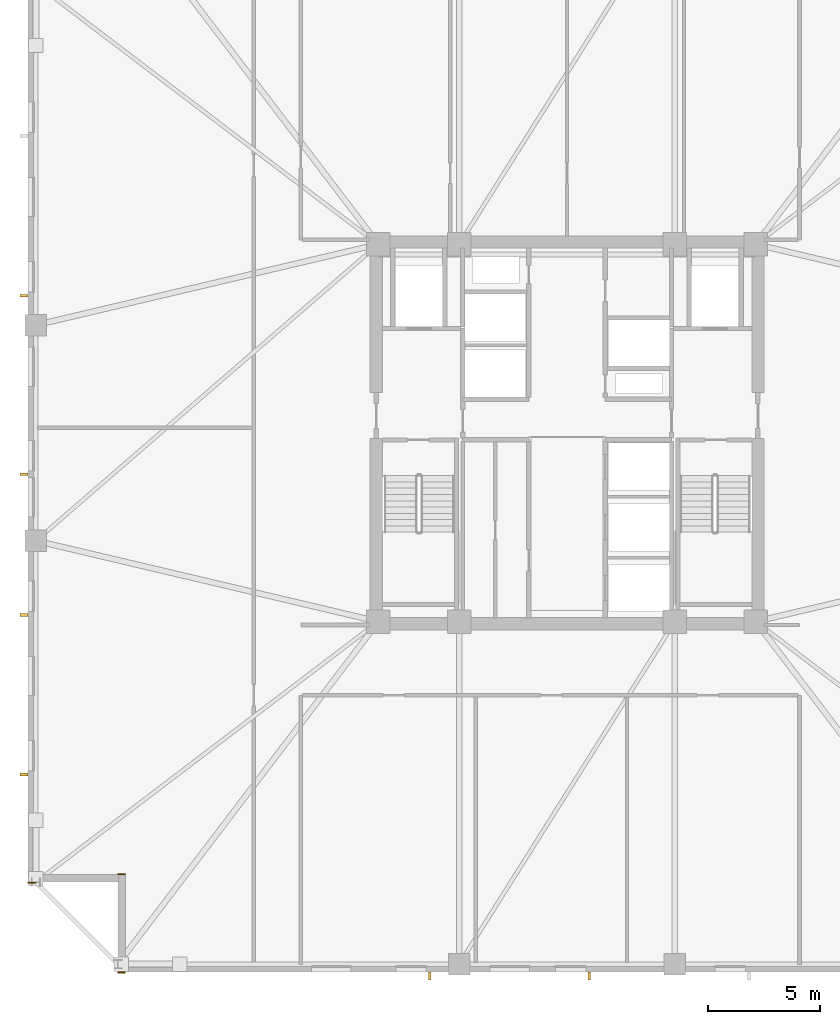
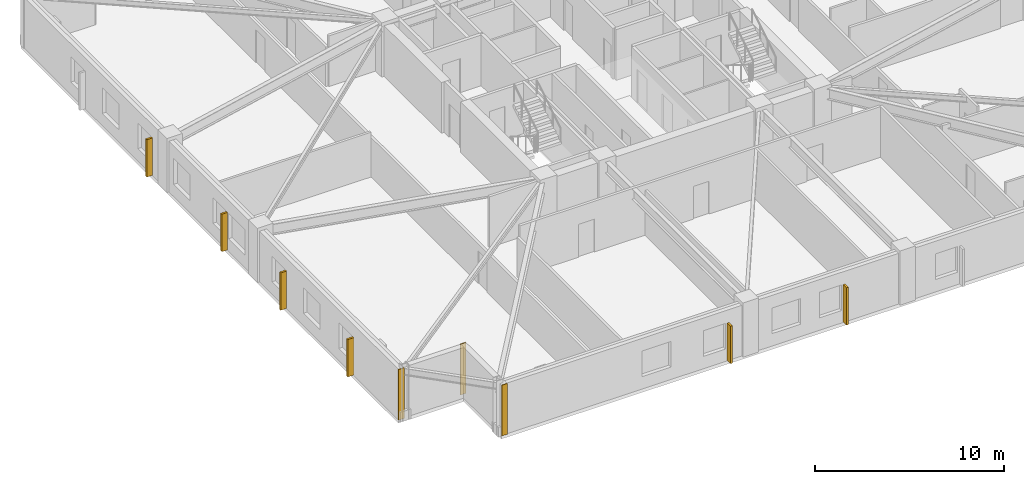
# One storey, part 6 of 10: 6 shading devices, 3 coverings.
"""IFC4 building model written with IfcOpenShell, lengths in metres."""

from ifc_helpers import new_model, si_unit, direction, frame, frame_2d, origin, origin_2d, place, context, subcontext, project, spatial, rectangle, extrude, material, layer, layer_set, type_object, element, save


model = new_model("IFC4")

# Units and contexts
model_context = context("Model", 3, precision=1e-05, world=origin(), true_north=direction((0.0, 1.0)))
body_context = subcontext(model_context, "Body", "Model", "MODEL_VIEW")
ifc_project = project(units=[si_unit("LENGTHUNIT", "METRE"), si_unit("AREAUNIT", "SQUARE_METRE"), si_unit("VOLUMEUNIT", "CUBIC_METRE"), si_unit("PLANEANGLEUNIT", "RADIAN"), si_unit("MASSUNIT", "GRAM", prefix="KILO")], contexts=[model_context])

# Site, building, storey
site_placement = place(None, origin())
site = spatial("IfcSite", under=ifc_project, at=site_placement, CompositionType="ELEMENT")
building_placement = place(site_placement, origin())
building = spatial("IfcBuilding", under=site, at=building_placement, Name="Cairnveth Concourse Tower", CompositionType="ELEMENT")
storey_placement = place(building_placement, frame((0.0, 0.0, 183.0)))
storey = spatial("IfcBuildingStorey", under=building, at=storey_placement, Name="L50", CompositionType="ELEMENT", Elevation=183.0)

# Coverings
ifc_material_1 = material(Name="Dressed Melbourne Bluestone Cladding", Category="masonry")
ifc_layer = layer(ifc_material_1, 0.050048828125)
ifc_layer_set = layer_set([ifc_layer], Name="Dressed Melbourne Bluestone Cladding")
covering_type = type_object("IfcCoveringType", Name="DRESSED BLUESTONE PLINTH CLADDING 50", PredefinedType="CLADDING", material=ifc_layer_set)
for number, where, z_axis, x_axis, name in (
    (1, (32.340087890625, 14.97998046875, 0.0), (0.0, 0.0, 1.0), (-1.0, 0.0, 0.0), "Melbourne Bluestone Corner Quoin L50-743"),
    (2, (32.340087890625, 19.360107421875, 0.0), (0.0, 0.0, 1.0), (-1.0, 0.0, 0.0), "Melbourne Bluestone Corner Quoin L50-744"),
    (3, (28.340087890625, 18.97998046875, 0.0), (0.0, 0.0, 1.0), (-1.0, 0.0, 0.0), "Melbourne Bluestone Corner Quoin L50-745"),
):
    element("IfcCovering", number, at=place(storey_placement, frame(where, z_axis=z_axis, x_axis=x_axis)), inside=storey, type_object=covering_type, Name=name, PredefinedType="CLADDING", context=body_context, shape_type="SweptSolid", body=[
        extrude(rectangle(XDim=0.340087890625, YDim=0.050048828125, at=frame_2d((0.169921875, 0.0))), origin(), (0.0, 0.0, 1.0), 3.280029296875),
    ])

# Shading devices
ifc_material_2 = material(Name="Architectural Bronze Anodised Aluminium 6063-T6", Category="aluminium")
shading_device_type = type_object("IfcShadingDeviceType", Name="GOTHIC BRONZE VERTICAL LANCET FIN", PredefinedType="USERDEFINED", material=ifc_material_2)
for number, where, z_axis, x_axis, name in (
    (4, (52.993896484375, 14.824951171875, 0.030029296875), (0.0, 0.0, 1.0), (1.0, 0.0, 0.0), "Gothic Bronze Vertical Fin L50-3-5"),
    (5, (45.886962890625, 14.824951171875, 0.030029296875), (0.0, 0.0, 1.0), (1.0, 0.0, 0.0), "Gothic Bronze Vertical Fin L50-3-7"),
    (6, (27.824951171875, 23.791748046875, 0.030029296875), (0.0, 0.0, 1.0), (0.0, 1.0, 0.0), "Gothic Bronze Vertical Fin L50-6-1"),
    (7, (27.824951171875, 30.89892578125, 0.030029296875), (0.0, 0.0, 1.0), (0.0, 1.0, 0.0), "Gothic Bronze Vertical Fin L50-6-3"),
    (8, (27.824951171875, 37.156005859375, 0.030029296875), (0.0, 0.0, 1.0), (0.0, 1.0, 0.0), "Gothic Bronze Vertical Fin L50-6-5"),
    (9, (27.824951171875, 45.113037109375, 0.030029296875), (0.0, 0.0, 1.0), (0.0, 1.0, 0.0), "Gothic Bronze Vertical Fin L50-6-7"),
):
    element("IfcShadingDevice", number, at=place(storey_placement, frame(where, z_axis=z_axis, x_axis=x_axis)), inside=storey, type_object=shading_device_type, Name=name, ObjectType="VERTICAL FIN", PredefinedType="USERDEFINED", context=body_context, shape_type="SweptSolid", body=[
        extrude(rectangle(XDim=0.1201171875, YDim=0.360107421875, at=origin_2d()), origin(), (0.0, 0.0, 1.0), 2.419921875),
    ])

save(model, "model.ifc")
